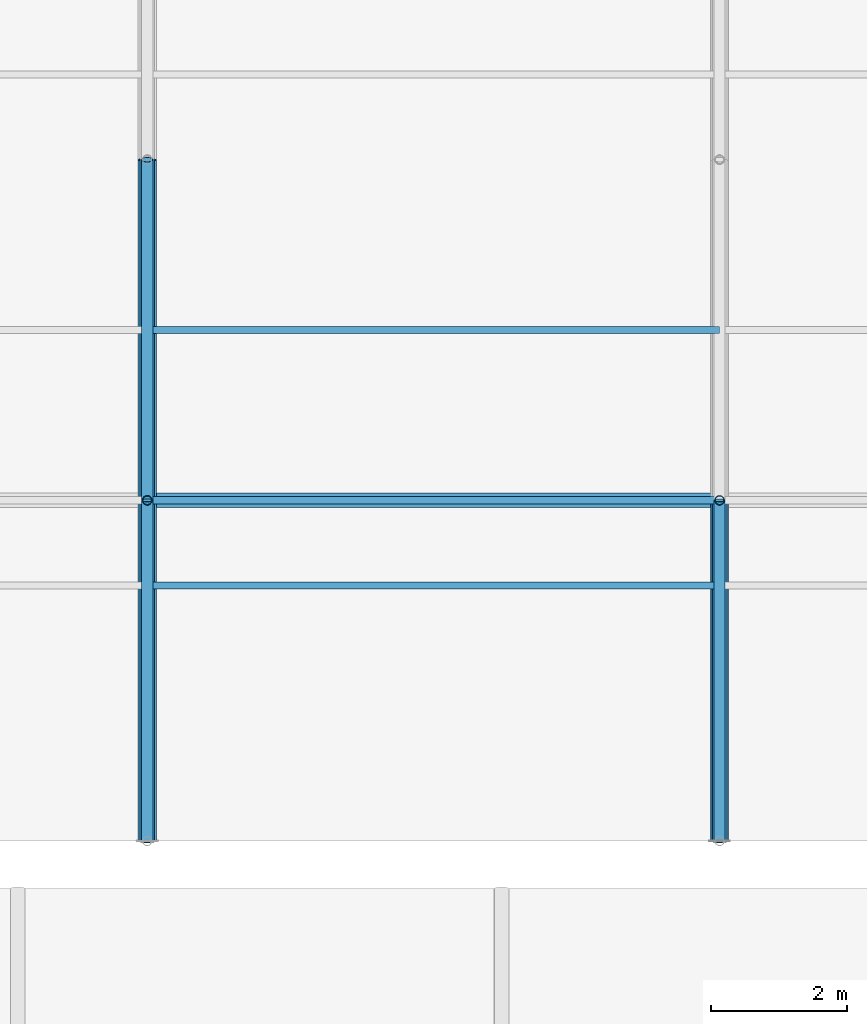
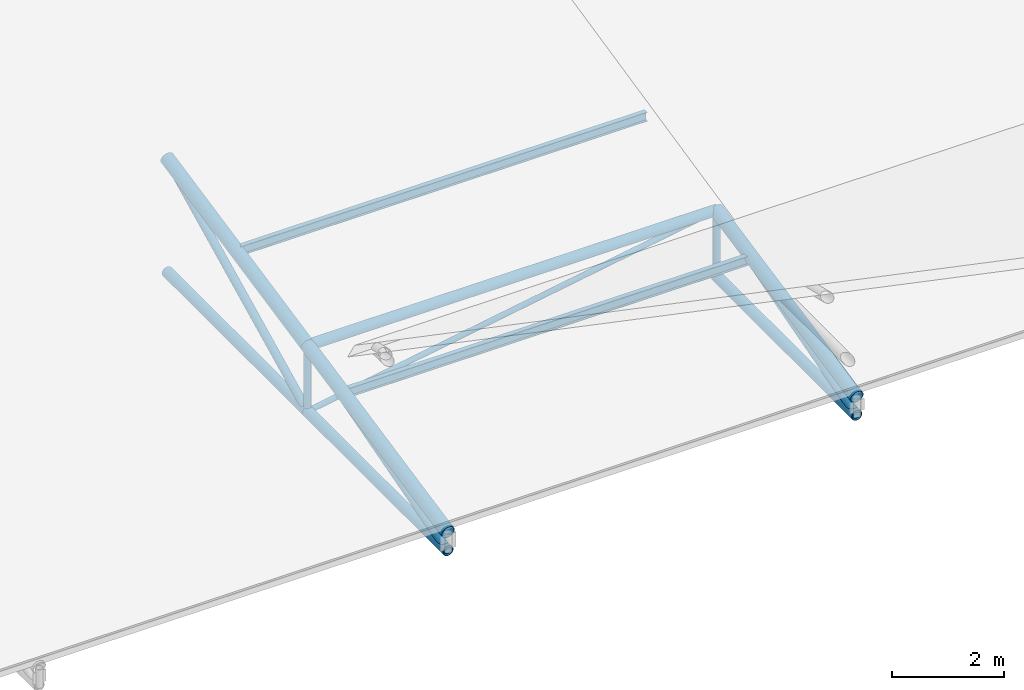
# One storey, part 79 of 194: 13 members, 2 beams.
"""IFC4 building model written with IfcOpenShell, lengths in metres."""

import ifcopenshell
import ifcopenshell.guid

model = None  # the IFC model being written
_history = None  # IfcOwnerHistory: only IFC2X3 demands one
_inside = {}  # id of a spatial element -> (the spatial element, [elements in it])
_under = {}  # id of a project, library or spatial element -> (it, [spatial elements below it])
_declared = {}  # id of a project -> (the project, [libraries it declares])
_typed = {}  # id of a type object -> (the type object, [elements of that type])
_made_of = {}  # id of a material, layer set ... -> (it, [elements and type objects made of it])


def new_model(schema):
    """Start an empty IFC model of exactly this schema.

    Asked for "IFC4X3", IfcOpenShell would pick the latest addendum, in which some entities
    have other attributes; the version numbers below select the first issue.
    IFC2X3 requires an IfcOwnerHistory on every rooted entity: one is made here for all.
    """
    global model, _history
    if schema == "IFC4X3":
        model = ifcopenshell.file(schema_version=(4, 3, 0, 0))
    else:
        model = ifcopenshell.file(schema=schema)
    _inside.clear()
    _under.clear()
    _declared.clear()
    _typed.clear()
    _made_of.clear()
    _history = None
    if model.schema == "IFC2X3":
        org = make("IfcOrganization", Name="unknown")
        user = make(
            "IfcPersonAndOrganization",
            ThePerson=make("IfcPerson", FamilyName="unknown"),
            TheOrganization=org,
        )
        app = make(
            "IfcApplication",
            ApplicationDeveloper=org,
            Version="unknown",
            ApplicationFullName="unknown",
            ApplicationIdentifier="unknown",
        )
        _history = make(
            "IfcOwnerHistory",
            OwningUser=user,
            OwningApplication=app,
            ChangeAction="ADDED",
            CreationDate=0,
        )
    return model


def make(cls, **values):
    """One entity of the class cls with the attributes given. An attribute that is None is left unset."""
    return model.create_entity(
        cls, **{name: value for name, value in values.items() if value is not None}
    )


def rooted(cls, **values):
    """An entity with a GlobalId (a new one), such as an element, a storey or a relation."""
    return make(cls, GlobalId=ifcopenshell.guid.new(), OwnerHistory=_history, **values)


def si_unit(unit_type, name, prefix=None):
    """IfcSIUnit, for example si_unit("LENGTHUNIT", "METRE", prefix="MILLI")."""
    return make("IfcSIUnit", UnitType=unit_type, Prefix=prefix, Name=name)


def assignment(units):
    """IfcUnitAssignment: the units of a project."""
    return None if units is None else make("IfcUnitAssignment", Units=units)


def point(xyz):
    """IfcCartesianPoint."""
    return None if xyz is None else make("IfcCartesianPoint", Coordinates=xyz)


def direction(xyz):
    """IfcDirection."""
    return None if xyz is None else make("IfcDirection", DirectionRatios=xyz)


def frame(location, z_axis=None, x_axis=None):
    """IfcAxis2Placement3D, a coordinate frame: its origin and axes. An axis left out is left unset."""
    return make(
        "IfcAxis2Placement3D",
        Location=point(location),
        Axis=direction(z_axis),
        RefDirection=direction(x_axis),
    )


def frame_2d(location, x_axis=None):
    """IfcAxis2Placement2D, a coordinate frame in the plane: its origin and x axis."""
    return make(
        "IfcAxis2Placement2D", Location=point(location), RefDirection=direction(x_axis)
    )


def origin():
    """The frame at (0, 0, 0) with its axes left unset."""
    return frame((0.0, 0.0, 0.0))


def origin_2d():
    """The frame at (0, 0) in the plane with its x axis left unset."""
    return frame_2d((0.0, 0.0))


def place(relative_to, where):
    """IfcLocalPlacement: puts the frame where relative to a parent placement (None: the world)."""
    return make(
        "IfcLocalPlacement", PlacementRelTo=relative_to, RelativePlacement=where
    )


def context(
    kind, dimensions, precision=None, world=None, true_north=None, identifier=None
):
    """IfcGeometricRepresentationContext, for example the 3D "Model" context."""
    return make(
        "IfcGeometricRepresentationContext",
        ContextIdentifier=identifier,
        ContextType=kind,
        CoordinateSpaceDimension=dimensions,
        Precision=precision,
        WorldCoordinateSystem=world,
        TrueNorth=true_north,
    )


def subcontext(parent, identifier, kind, view, scale=None):
    """IfcGeometricRepresentationSubContext, for example "Body" below "Model"."""
    return make(
        "IfcGeometricRepresentationSubContext",
        ContextIdentifier=identifier,
        ContextType=kind,
        ParentContext=parent,
        TargetScale=scale,
        TargetView=view,
    )


def project(units=None, contexts=None):
    """IfcProject with its units and contexts."""
    return rooted(
        "IfcProject",
        Name="project",
        RepresentationContexts=contexts,
        UnitsInContext=assignment(units),
    )


def spatial(cls, under=None, at=None, **own):
    """A site, building, storey or space (cls), placed at a placement, below another one or the project."""
    s = rooted(cls, ObjectPlacement=at, **own)
    if under is not None:
        _under.setdefault(under.id(), (under, []))[1].append(s)
    return s


def profile(cls, at=None, kind="AREA", **sizes):
    """A parametric profile (cls). Its sizes go by their IFC names, for example OverallWidth=200.0."""
    return make(cls, ProfileType=kind, Position=at, **sizes)


def hollow_circle(**sizes):
    """IfcCircleHollowProfileDef."""
    return profile("IfcCircleHollowProfileDef", **sizes)


def i_section(**sizes):
    """IfcIShapeProfileDef."""
    return profile("IfcIShapeProfileDef", **sizes)


def extrude(swept, where, along, depth):
    """IfcExtrudedAreaSolid: the profile swept, set in the frame where, extruded along a direction by depth."""
    return make(
        "IfcExtrudedAreaSolid",
        SweptArea=swept,
        Position=where,
        ExtrudedDirection=direction(along),
        Depth=depth,
    )


def shape(context_of_items, identifier, shape_type, items):
    """IfcShapeRepresentation: the items that make up one representation, for example the "Body"."""
    return make(
        "IfcShapeRepresentation",
        ContextOfItems=context_of_items,
        RepresentationIdentifier=identifier,
        RepresentationType=shape_type,
        Items=items,
    )


def material(Name=None, Category=None):
    """IfcMaterial."""
    return make("IfcMaterial", Name=Name, Category=Category)


def material_profile(
    of_material, cross_section, Name=None, Category=None, Priority=None
):
    """IfcMaterialProfile: a cross section and its material."""
    return make(
        "IfcMaterialProfile",
        Name=Name,
        Material=of_material,
        Profile=cross_section,
        Priority=Priority,
        Category=Category,
    )


def profile_set(profiles, Name=None, composite=None):
    """IfcMaterialProfileSet."""
    return make(
        "IfcMaterialProfileSet",
        Name=Name,
        MaterialProfiles=profiles,
        CompositeProfile=composite,
    )


def made_of(thing, what):
    """Note that an element or type object is made of a material, layer set ...; save() writes the relation."""
    if what is not None:
        _made_of.setdefault(what.id(), (what, []))[1].append(thing)
    return thing


def type_object(cls, material=None, **own):
    """A type object (cls), such as IfcWallType, which elements share."""
    return made_of(rooted(cls, **own), material)


def element(
    cls,
    number,
    at=None,
    inside=None,
    cuts=None,
    type_object=None,
    material=None,
    context=None,
    identifier="Body",
    shape_type=None,
    held_by="IfcProductDefinitionShape",
    body=None,
    shapes=None,
    **own,
):
    """One element of the class cls, such as IfcWall. Its Tag is "e" and its number.

    at: its placement. inside: the storey or other place that contains it. cuts: it is an
    opening in that element (IfcRelVoidsElement). A single representation is given by context,
    identifier, shape_type and body (its items); several are given by shapes. held_by: the class
    of the entity that holds the representations. save() writes the other relations.
    """
    e = rooted(cls, Tag="e%d" % number, ObjectPlacement=at, **own)
    if body is not None:
        shapes = [shape(context, identifier, shape_type, body)]
    if shapes is not None:
        e.Representation = make(held_by, Representations=shapes)
    if inside is not None:
        _inside.setdefault(inside.id(), (inside, []))[1].append(e)
    if cuts is not None:
        rooted(
            "IfcRelVoidsElement", RelatingBuildingElement=cuts, RelatedOpeningElement=e
        )
    if type_object is not None:
        _typed.setdefault(type_object.id(), (type_object, []))[1].append(e)
    return made_of(e, material)


def aggregate(whole, parts):
    """IfcRelAggregates: a whole, such as a stair, and the parts it consists of."""
    return rooted("IfcRelAggregates", RelatingObject=whole, RelatedObjects=parts)


def save(model, path):
    """Write the relations noted so far, then the file.

    IfcRelAggregates (storeys below a building ...), IfcRelContainedInSpatialStructure (elements
    in a storey), IfcRelDefinesByType, IfcRelAssociatesMaterial and IfcRelDeclares: one each for
    every whole, place, type object, material and project.
    """
    for whole, parts in _under.values():
        aggregate(whole, parts)
    for where, things in _inside.values():
        rooted(
            "IfcRelContainedInSpatialStructure",
            RelatedElements=things,
            RelatingStructure=where,
        )
    for kind, things in _typed.values():
        rooted("IfcRelDefinesByType", RelatedObjects=things, RelatingType=kind)
    for what, things in _made_of.values():
        rooted("IfcRelAssociatesMaterial", RelatedObjects=things, RelatingMaterial=what)
    for by, libraries in _declared.values():
        rooted("IfcRelDeclares", RelatingContext=by, RelatedDefinitions=libraries)
    model.write(path)


model = new_model("IFC4")

# Units and contexts
model_context = context("Model", 3, precision=1e-05, world=origin(), true_north=direction((0.0, 1.0)))
body_context = subcontext(model_context, "Body", "Model", "MODEL_VIEW")
ifc_project = project(units=[si_unit("LENGTHUNIT", "METRE"), si_unit("AREAUNIT", "SQUARE_METRE"), si_unit("VOLUMEUNIT", "CUBIC_METRE"), si_unit("PLANEANGLEUNIT", "RADIAN"), si_unit("MASSUNIT", "GRAM", prefix="KILO")], contexts=[model_context])

# Site, building, storey
site_placement = place(None, origin())
site = spatial("IfcSite", under=ifc_project, at=site_placement, CompositionType="ELEMENT")
building_placement = place(site_placement, origin())
building = spatial("IfcBuilding", under=site, at=building_placement, Name="Kazenagashi Tramway Depot", CompositionType="ELEMENT")
storey_placement = place(building_placement, frame((0.0, 0.0, 23.7)))
storey = spatial("IfcBuildingStorey", under=building, at=storey_placement, Name="ROOF", CompositionType="ELEMENT", Elevation=23.7)

# Beams
ifc_material_1 = material(Name="Steel SN400B", Category="steel")
ifc_material_profile_1 = material_profile(ifc_material_1, i_section(OverallWidth=0.1, OverallDepth=0.2, WebThickness=0.0055, FlangeThickness=0.008, at=origin_2d()), Name="H-200x100x5.5x8")
ifc_profile_set_1 = profile_set([ifc_material_profile_1], Name="Steel SN400B")
beam_type = type_object("IfcBeamType", Name="PR-01", PredefinedType="USERDEFINED", material=ifc_profile_set_1)
for number, where, z_axis, x_axis, name in (
    (1, (162.4, 73.75, -12.955), (1.0, 0.0, 0.0), (0.0, 1.0, 0.0), "Beam PR-01 BM-2032"),
    (2, (162.4, 77.5, -12.13), (1.0, 0.0, 0.0), (0.0, 1.0, 0.0), "Beam PR-01 BM-2050"),
):
    element("IfcBeam", number, at=place(storey_placement, frame(where, z_axis=z_axis, x_axis=x_axis)), inside=storey, type_object=beam_type, Name=name, ObjectType="PURLIN", PredefinedType="USERDEFINED", context=body_context, shape_type="SweptSolid", body=[
        extrude(i_section(OverallWidth=0.1, OverallDepth=0.2, WebThickness=0.0055, FlangeThickness=0.008, at=origin_2d()), origin(), (0.0, 0.0, 1.0), 8.4),
    ])

# Members
ifc_material_2 = material(Name="Steel STK490", Category="steel")
ifc_material_profile_2 = material_profile(ifc_material_2, hollow_circle(Radius=0.1337, WallThickness=0.0093, at=origin_2d()), Name="CHS-267.4x9.3")
ifc_profile_set_2 = profile_set([ifc_material_profile_2], Name="Steel STK490")
member_type_1 = type_object("IfcMemberType", Name="TC-01", PredefinedType="CHORD", material=ifc_profile_set_2)
member_1_placement = place(storey_placement, frame((162.4, 70.0, -13.7), z_axis=(0.0, 0.979317999984, 0.202327098797), x_axis=(-1.0, 0.0, 0.0)))
element("IfcMember", 3, at=member_1_placement, inside=storey, type_object=member_type_1, Name="Tubular Space Frame TC-01 MEM-0855", PredefinedType="CHORD", context=body_context, shape_type="SweptSolid", body=[
    extrude(hollow_circle(Radius=0.1337, WallThickness=0.0093, at=origin_2d()), origin(), (0.0, 0.0, 1.0), 5.105594),
])
member_2_placement = place(storey_placement, frame((162.4, 75.0, -12.667), z_axis=(0.0, 0.979279174591, 0.202514933305), x_axis=(-1.0, 0.0, 0.0)))
element("IfcMember", 4, at=member_2_placement, inside=storey, type_object=member_type_1, Name="Tubular Space Frame TC-01 MEM-0858", PredefinedType="CHORD", context=body_context, shape_type="SweptSolid", body=[
    extrude(hollow_circle(Radius=0.1337, WallThickness=0.0093, at=origin_2d()), origin(), (0.0, 0.0, 1.0), 5.105796),
])
member_3_placement = place(storey_placement, frame((170.8, 70.0, -13.7), z_axis=(0.0, 0.979317999984, 0.202327098797), x_axis=(-1.0, 0.0, 0.0)))
element("IfcMember", 5, at=member_3_placement, inside=storey, type_object=member_type_1, Name="Tubular Space Frame TC-01 MEM-0916", PredefinedType="CHORD", context=body_context, shape_type="SweptSolid", body=[
    extrude(hollow_circle(Radius=0.1337, WallThickness=0.0093, at=origin_2d()), origin(), (0.0, 0.0, 1.0), 5.105594),
])
ifc_material_profile_3 = material_profile(ifc_material_2, hollow_circle(Radius=0.10815, WallThickness=0.0082, at=origin_2d()), Name="CHS-216.3x8.2")
ifc_profile_set_3 = profile_set([ifc_material_profile_3], Name="Steel STK490")
member_type_2 = type_object("IfcMemberType", Name="TC-02", PredefinedType="CHORD", material=ifc_profile_set_3)
for number, where, z_axis, x_axis, name in (
    (6, (162.4, 70.0, -14.1), (0.0, 1.0, 0.0), (-1.0, 0.0, 0.0), "Tubular Space Frame TC-02 MEM-0856"),
    (7, (162.4, 75.0, -14.1), (0.0, 1.0, 0.0), (-1.0, 0.0, 0.0), "Tubular Space Frame TC-02 MEM-0859"),
):
    element("IfcMember", number, at=place(storey_placement, frame(where, z_axis=z_axis, x_axis=x_axis)), inside=storey, type_object=member_type_2, Name=name, PredefinedType="CHORD", context=body_context, shape_type="SweptSolid", body=[
        extrude(hollow_circle(Radius=0.10815, WallThickness=0.0082, at=origin_2d()), origin(), (0.0, 0.0, 1.0), 5.0),
    ])
member_4_placement = place(storey_placement, frame((162.4, 75.0, -12.667), z_axis=(1.0, 0.0, 0.0), x_axis=(0.0, 1.0, 0.0)))
element("IfcMember", 8, at=member_4_placement, inside=storey, type_object=member_type_2, Name="Tubular Space Frame TC-02 MEM-0880", PredefinedType="CHORD", context=body_context, shape_type="SweptSolid", body=[
    extrude(hollow_circle(Radius=0.10815, WallThickness=0.0082, at=origin_2d()), origin(), (0.0, 0.0, 1.0), 8.4),
])
member_5_placement = place(storey_placement, frame((170.8, 70.0, -14.1), z_axis=(0.0, 1.0, 0.0), x_axis=(-1.0, 0.0, 0.0)))
element("IfcMember", 9, at=member_5_placement, inside=storey, type_object=member_type_2, Name="Tubular Space Frame TC-02 MEM-0917", PredefinedType="CHORD", context=body_context, shape_type="SweptSolid", body=[
    extrude(hollow_circle(Radius=0.10815, WallThickness=0.0082, at=origin_2d()), origin(), (0.0, 0.0, 1.0), 5.0),
])
ifc_material_profile_4 = material_profile(ifc_material_2, hollow_circle(Radius=0.0826, WallThickness=0.0071, at=origin_2d()), Name="CHS-165.2x7.1")
ifc_profile_set_4 = profile_set([ifc_material_profile_4], Name="Steel STK490")
member_type_3 = type_object("IfcMemberType", Name="TS-01", PredefinedType="STRUT", material=ifc_profile_set_4)
member_6_placement = place(storey_placement, frame((162.4, 70.0, -14.1), z_axis=(0.0, 0.961298717795, 0.27550821252), x_axis=(-1.0, 0.0, 0.0)))
element("IfcMember", 10, at=member_6_placement, inside=storey, type_object=member_type_3, Name="Tubular Space Frame TS-01 MEM-0857", PredefinedType="STRUT", context=body_context, shape_type="SweptSolid", body=[
    extrude(hollow_circle(Radius=0.0826, WallThickness=0.0071, at=origin_2d()), origin(), (0.0, 0.0, 1.0), 5.201297),
])
member_7_placement = place(storey_placement, frame((162.4, 75.0, -14.1), z_axis=(0.0, 0.896782162482, 0.442472318969), x_axis=(-1.0, 0.0, 0.0)))
element("IfcMember", 11, at=member_7_placement, inside=storey, type_object=member_type_3, Name="Tubular Space Frame TS-01 MEM-0860", PredefinedType="STRUT", context=body_context, shape_type="SweptSolid", body=[
    extrude(hollow_circle(Radius=0.0826, WallThickness=0.0071, at=origin_2d()), origin(), (0.0, 0.0, 1.0), 5.57549),
])
member_8_placement = place(storey_placement, frame((170.8, 70.0, -14.1), z_axis=(0.0, 0.961298717795, 0.27550821252), x_axis=(-1.0, 0.0, 0.0)))
element("IfcMember", 12, at=member_8_placement, inside=storey, type_object=member_type_3, Name="Tubular Space Frame TS-01 MEM-0918", PredefinedType="STRUT", context=body_context, shape_type="SweptSolid", body=[
    extrude(hollow_circle(Radius=0.0826, WallThickness=0.0071, at=origin_2d()), origin(), (0.0, 0.0, 1.0), 5.201297),
])
ifc_material_profile_5 = material_profile(ifc_material_2, hollow_circle(Radius=0.0699, WallThickness=0.0066, at=origin_2d()), Name="CHS-139.8x6.6")
ifc_profile_set_5 = profile_set([ifc_material_profile_5], Name="Steel STK490")
member_type_4 = type_object("IfcMemberType", Name="TS-02", PredefinedType="STRUT", material=ifc_profile_set_5)
for number, where, z_axis, x_axis, name in (
    (13, (162.4, 75.0, -14.1), (0.0, 0.0, 1.0), (1.0, 0.0, 0.0), "Tubular Space Frame TS-02 MEM-0874"),
    (14, (170.8, 75.0, -14.1), (0.0, 0.0, 1.0), (1.0, 0.0, 0.0), "Tubular Space Frame TS-02 MEM-0935"),
):
    element("IfcMember", number, at=place(storey_placement, frame(where, z_axis=z_axis, x_axis=x_axis)), inside=storey, type_object=member_type_4, Name=name, PredefinedType="STRUT", context=body_context, shape_type="SweptSolid", body=[
        extrude(hollow_circle(Radius=0.0699, WallThickness=0.0066, at=origin_2d()), origin(), (0.0, 0.0, 1.0), 1.433),
    ])
ifc_material_3 = material(Name="Steel STK400", Category="steel")
ifc_material_profile_6 = material_profile(ifc_material_3, hollow_circle(Radius=0.05715, WallThickness=0.0045, at=origin_2d()), Name="CHS-114.3x4.5")
ifc_profile_set_6 = profile_set([ifc_material_profile_6], Name="Steel STK400")
member_type_5 = type_object("IfcMemberType", Name="TS-03", PredefinedType="STRUT", material=ifc_profile_set_6)
member_9_placement = place(storey_placement, frame((162.4, 75.0, -14.1), z_axis=(0.985758734117, 0.0, 0.168165745951), x_axis=(0.0, 1.0, 0.0)))
element("IfcMember", 15, at=member_9_placement, inside=storey, type_object=member_type_5, Name="Tubular Space Frame TS-03 MEM-0881", PredefinedType="STRUT", context=body_context, shape_type="SweptSolid", body=[
    extrude(hollow_circle(Radius=0.05715, WallThickness=0.0045, at=origin_2d()), origin(), (0.0, 0.0, 1.0), 8.521355),
])

save(model, "model.ifc")
